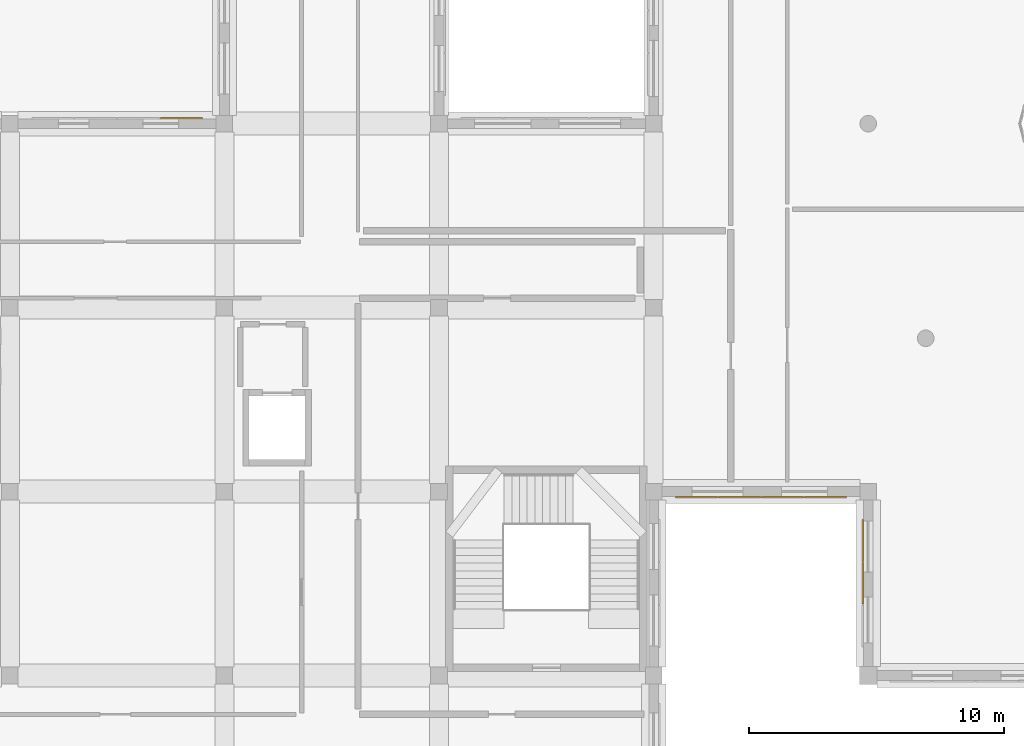
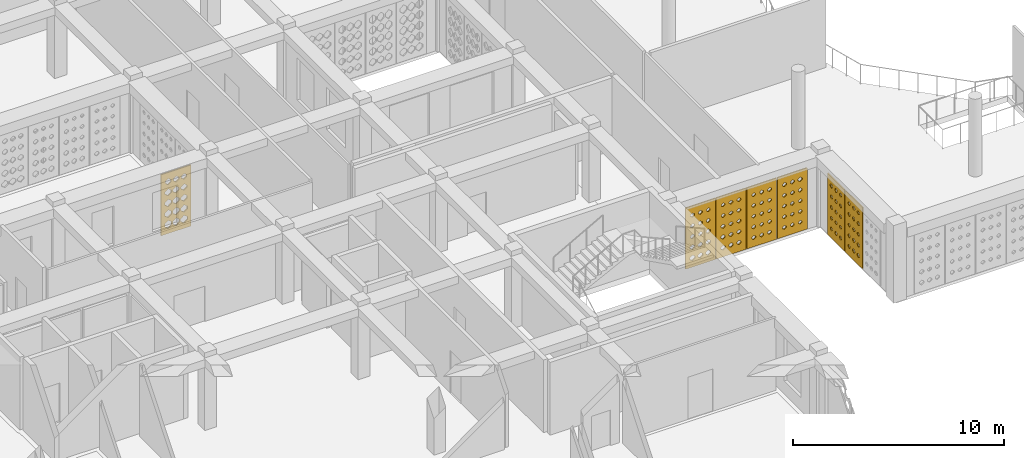
# One storey, part 31 of 47: 7 coverings.
"""IFC4 building model written with IfcOpenShell, lengths in metres."""

from ifc_helpers import new_model, si_unit, derived_unit, direction, frame, origin, place, context, subcontext, project, spatial, polyline, outline, extrude, material, layer, layer_set, type_object, element, save


model = new_model("IFC4")

# Units and contexts
model_context = context("Model", 3, precision=1e-05, world=origin(), true_north=direction((0.0, 1.0)))
body_context = subcontext(model_context, "Body", "Model", "MODEL_VIEW")
ifc_project = project(units=[si_unit("LENGTHUNIT", "METRE"), si_unit("AREAUNIT", "SQUARE_METRE"), si_unit("VOLUMEUNIT", "CUBIC_METRE"), si_unit("PLANEANGLEUNIT", "RADIAN"), si_unit("MASSUNIT", "GRAM", prefix="KILO"), derived_unit("THERMALTRANSMITTANCEUNIT", [(si_unit("POWERUNIT", "WATT"), 1), (si_unit("LENGTHUNIT", "METRE"), -2), (si_unit("THERMODYNAMICTEMPERATUREUNIT", "KELVIN"), -1)])], contexts=[model_context])

# Site, building, storey
site_placement = place(None, origin())
site = spatial("IfcSite", under=ifc_project, at=site_placement, CompositionType="ELEMENT")
building_placement = place(site_placement, origin())
building = spatial("IfcBuilding", under=site, at=building_placement, Name="Veybourne Emporium", CompositionType="ELEMENT")
storey_placement = place(building_placement, frame((0.0, 0.0, 23.39990234375)))
storey = spatial("IfcBuildingStorey", under=building, at=storey_placement, Name="L05", CompositionType="ELEMENT", Elevation=23.39990234375)

# Coverings
ifc_material = material(Name="Warm-White Perforated Aluminium Screen Alloy", Category="aluminium")
ifc_layer_1 = layer(ifc_material, 0.06005859375)
ifc_layer_set_1 = layer_set([ifc_layer_1], Name="Warm-White Perforated Aluminium Screen Alloy")
covering_type_1 = type_object("IfcCoveringType", Name="WaveScreen_SCR-01", PredefinedType="CLADDING", material=ifc_layer_set_1)
covering_1_placement = place(storey_placement, frame((31.919921875, 50.64794921875, 1.830078125), z_axis=(0.0, -1.0, 0.0), x_axis=(1.0, 0.0, 0.0)))
element("IfcCovering", 1, at=covering_1_placement, inside=storey, type_object=covering_type_1, Name="L05 wave-perforated aluminium screen SCR-01 (15.4)", PredefinedType="CLADDING", context=body_context, shape_type="SweptSolid", body=[
    extrude(outline(polyline([(-0.81982421875, -1.77001953125), (0.81982421875, -1.77001953125), (0.81982421875, 1.77001953125), (-0.81982421875, 1.77001953125), (-0.81982421875, -1.77001953125)]), holes=[polyline([(-0.433349609375, -1.00830078125), (-0.2470703125, -1.156494140625), (-0.2470703125, -1.323486328125), (-0.433349609375, -1.4716796875), (-0.61962890625, -1.323486328125), (-0.61962890625, -1.156494140625), (-0.433349609375, -1.00830078125)]), polyline([(-0.433349609375, -0.4013671875), (-0.2470703125, -0.541259765625), (-0.2470703125, -0.69873046875), (-0.433349609375, -0.838623046875), (-0.61962890625, -0.69873046875), (-0.61962890625, -0.541259765625), (-0.433349609375, -0.4013671875)]), polyline([(-0.433349609375, 0.20458984375), (-0.255859375, 0.07373046875), (-0.255859375, -0.07373046875), (-0.433349609375, -0.20458984375), (-0.61083984375, -0.07373046875), (-0.61083984375, 0.07373046875), (-0.433349609375, 0.20458984375)]), polyline([(-0.433349609375, 0.810302734375), (-0.267578125, 0.6884765625), (-0.267578125, 0.551513671875), (-0.433349609375, 0.4296875), (-0.59912109375, 0.551513671875), (-0.59912109375, 0.6884765625), (-0.433349609375, 0.810302734375)]), polyline([(-0.433349609375, 1.416259765625), (-0.279296875, 1.303466796875), (-0.279296875, 1.176513671875), (-0.433349609375, 1.063720703125), (-0.58740234375, 1.176513671875), (-0.58740234375, 1.303466796875), (-0.433349609375, 1.416259765625)]), polyline([(0.0, -1.01416015625), (0.186279296875, -1.15869140625), (0.186279296875, -1.3212890625), (0.0, -1.4658203125), (-0.186279296875, -1.3212890625), (-0.186279296875, -1.15869140625), (0.0, -1.01416015625)]), polyline([(0.0, -0.40771484375), (0.183837890625, -0.54345703125), (0.183837890625, -0.696533203125), (0.0, -0.83251953125), (-0.183837890625, -0.696533203125), (-0.183837890625, -0.54345703125), (0.0, -0.40771484375)]), polyline([(0.0, 0.1982421875), (0.172119140625, 0.0712890625), (0.172119140625, -0.0712890625), (0.0, -0.1982421875), (-0.172119140625, -0.0712890625), (-0.172119140625, 0.0712890625), (0.0, 0.1982421875)]), polyline([(0.0, 0.803955078125), (0.160400390625, 0.686279296875), (0.160400390625, 0.5537109375), (0.0, 0.43603515625), (-0.160400390625, 0.5537109375), (-0.160400390625, 0.686279296875), (0.0, 0.803955078125)]), polyline([(0.0, 1.409912109375), (0.14892578125, 1.30126953125), (0.14892578125, 1.1787109375), (0.0, 1.070068359375), (-0.14892578125, 1.1787109375), (-0.14892578125, 1.30126953125), (0.0, 1.409912109375)]), polyline([(0.433349609375, -1.02001953125), (0.61962890625, -1.160888671875), (0.61962890625, -1.319091796875), (0.433349609375, -1.4599609375), (0.2470703125, -1.319091796875), (0.2470703125, -1.160888671875), (0.433349609375, -1.02001953125)]), polyline([(0.433349609375, -0.413818359375), (0.612060546875, -0.5458984375), (0.612060546875, -0.694091796875), (0.433349609375, -0.826171875), (0.254638671875, -0.694091796875), (0.254638671875, -0.5458984375), (0.433349609375, -0.413818359375)]), polyline([(0.433349609375, 0.19189453125), (0.600341796875, 0.069091796875), (0.600341796875, -0.069091796875), (0.433349609375, -0.19189453125), (0.266357421875, -0.069091796875), (0.266357421875, 0.069091796875), (0.433349609375, 0.19189453125)]), polyline([(0.433349609375, 0.797607421875), (0.588623046875, 0.683837890625), (0.588623046875, 0.55615234375), (0.433349609375, 0.4423828125), (0.278076171875, 0.55615234375), (0.278076171875, 0.683837890625), (0.433349609375, 0.797607421875)]), polyline([(0.433349609375, 1.40380859375), (0.577392578125, 1.299072265625), (0.577392578125, 1.180908203125), (0.433349609375, 1.076171875), (0.289306640625, 1.180908203125), (0.289306640625, 1.299072265625), (0.433349609375, 1.40380859375)])]), origin(), (0.0, 0.0, 1.0), 0.06005859375),
])
covering_2_placement = place(storey_placement, frame((52.080078125, 35.751953125, 1.830078125), z_axis=(0.0, 1.0, 0.0), x_axis=(-1.0, 0.0, 0.0)))
element("IfcCovering", 2, at=covering_2_placement, inside=storey, type_object=covering_type_1, Name="L05 wave-perforated aluminium screen SCR-01 (35.4)", PredefinedType="CLADDING", context=body_context, shape_type="SweptSolid", body=[
    extrude(outline(polyline([(-0.81982421875, -1.77001953125), (0.81982421875, -1.77001953125), (0.81982421875, 1.77001953125), (-0.81982421875, 1.77001953125), (-0.81982421875, -1.77001953125)]), holes=[polyline([(-0.433349609375, -1.095458984375), (-0.304931640625, -1.18798828125), (-0.304931640625, -1.2919921875), (-0.433349609375, -1.384521484375), (-0.561767578125, -1.2919921875), (-0.561767578125, -1.18798828125), (-0.433349609375, -1.095458984375)]), polyline([(-0.433349609375, -0.486328125), (-0.31396484375, -0.572021484375), (-0.31396484375, -0.668212890625), (-0.433349609375, -0.753662109375), (-0.552734375, -0.668212890625), (-0.552734375, -0.572021484375), (-0.433349609375, -0.486328125)]), polyline([(-0.433349609375, 0.12451171875), (-0.3212890625, 0.044921875), (-0.3212890625, -0.044921875), (-0.433349609375, -0.12451171875), (-0.54541015625, -0.044921875), (-0.54541015625, 0.044921875), (-0.433349609375, 0.12451171875)]), polyline([(-0.433349609375, 0.737548828125), (-0.3271484375, 0.662353515625), (-0.3271484375, 0.57763671875), (-0.433349609375, 0.50244140625), (-0.53955078125, 0.57763671875), (-0.53955078125, 0.662353515625), (-0.433349609375, 0.737548828125)]), polyline([(-0.433349609375, 1.352783203125), (-0.3310546875, 1.280517578125), (-0.3310546875, 1.199462890625), (-0.433349609375, 1.127197265625), (-0.53564453125, 1.199462890625), (-0.53564453125, 1.280517578125), (-0.433349609375, 1.352783203125)]), polyline([(0.0, -1.090087890625), (0.1328125, -1.18603515625), (0.1328125, -1.2939453125), (0.0, -1.389892578125), (-0.1328125, -1.2939453125), (-0.1328125, -1.18603515625), (0.0, -1.090087890625)]), polyline([(0.0, -0.481689453125), (0.123291015625, -0.5703125), (0.123291015625, -0.669921875), (0.0, -0.75830078125), (-0.123291015625, -0.669921875), (-0.123291015625, -0.5703125), (0.0, -0.481689453125)]), polyline([(0.0, 0.12841796875), (0.114990234375, 0.04638671875), (0.114990234375, -0.04638671875), (0.0, -0.12841796875), (-0.114990234375, -0.04638671875), (-0.114990234375, 0.04638671875), (0.0, 0.12841796875)]), polyline([(0.0, 0.740478515625), (0.1083984375, 0.663330078125), (0.1083984375, 0.57666015625), (0.0, 0.49951171875), (-0.1083984375, 0.57666015625), (-0.1083984375, 0.663330078125), (0.0, 0.740478515625)]), polyline([(0.0, 1.3544921875), (0.103759765625, 1.28125), (0.103759765625, 1.19873046875), (0.0, 1.12548828125), (-0.103759765625, 1.19873046875), (-0.103759765625, 1.28125), (0.0, 1.3544921875)]), polyline([(0.433349609375, -1.08447265625), (0.57080078125, -1.18408203125), (0.57080078125, -1.2958984375), (0.433349609375, -1.3955078125), (0.2958984375, -1.2958984375), (0.2958984375, -1.18408203125), (0.433349609375, -1.08447265625)]), polyline([(0.433349609375, -0.4765625), (0.560791015625, -0.568359375), (0.560791015625, -0.671630859375), (0.433349609375, -0.763427734375), (0.305908203125, -0.671630859375), (0.305908203125, -0.568359375), (0.433349609375, -0.4765625)]), polyline([(0.433349609375, 0.1328125), (0.552001953125, 0.0478515625), (0.552001953125, -0.0478515625), (0.433349609375, -0.1328125), (0.314697265625, -0.0478515625), (0.314697265625, 0.0478515625), (0.433349609375, 0.1328125)]), polyline([(0.433349609375, 0.743896484375), (0.544677734375, 0.66455078125), (0.544677734375, 0.575439453125), (0.433349609375, 0.49609375), (0.322021484375, 0.575439453125), (0.322021484375, 0.66455078125), (0.433349609375, 0.743896484375)]), polyline([(0.433349609375, 1.35693359375), (0.5390625, 1.281982421875), (0.5390625, 1.197998046875), (0.433349609375, 1.123046875), (0.32763671875, 1.197998046875), (0.32763671875, 1.281982421875), (0.433349609375, 1.35693359375)])]), origin(), (0.0, 0.0, 1.0), 0.06005859375),
])
ifc_layer_2 = layer(ifc_material, 0.06005859375)
ifc_layer_set_2 = layer_set([ifc_layer_2], Name="Warm-White Perforated Aluminium Screen Alloy")
covering_type_2 = type_object("IfcCoveringType", Name="WaveScreen_SCR-02", PredefinedType="CLADDING", material=ifc_layer_set_2)
covering_3_placement = place(storey_placement, frame((57.1201171875, 35.751953125, 1.830078125), z_axis=(0.0, 1.0, 0.0), x_axis=(-1.0, 0.0, 0.0)))
element("IfcCovering", 3, at=covering_3_placement, inside=storey, type_object=covering_type_2, Name="L05 wave-perforated aluminium screen SCR-02 (35.1)", PredefinedType="CLADDING", context=body_context, shape_type="SweptSolid", body=[
    extrude(outline(polyline([(-0.81982421875, -1.77001953125), (0.81982421875, -1.77001953125), (0.81982421875, 1.77001953125), (-0.81982421875, 1.77001953125), (-0.81982421875, -1.77001953125)]), holes=[polyline([(-0.433349609375, -1.1298828125), (-0.333251953125, -1.200439453125), (-0.333251953125, -1.279541015625), (-0.433349609375, -1.35009765625), (-0.533447265625, -1.279541015625), (-0.533447265625, -1.200439453125), (-0.433349609375, -1.1298828125)]), polyline([(-0.433349609375, -0.50927734375), (-0.332763671875, -0.580078125), (-0.332763671875, -0.659912109375), (-0.433349609375, -0.730712890625), (-0.533935546875, -0.659912109375), (-0.533935546875, -0.580078125), (-0.433349609375, -0.50927734375)]), polyline([(-0.433349609375, 0.11376953125), (-0.330322265625, 0.041015625), (-0.330322265625, -0.041015625), (-0.433349609375, -0.11376953125), (-0.536376953125, -0.041015625), (-0.536376953125, 0.041015625), (-0.433349609375, 0.11376953125)]), polyline([(-0.433349609375, 0.7392578125), (-0.32568359375, 0.662841796875), (-0.32568359375, 0.5771484375), (-0.433349609375, 0.500732421875), (-0.540771484375, 0.5771484375), (-0.540771484375, 0.662841796875), (-0.433349609375, 0.7392578125)]), polyline([(-0.433349609375, 1.36669921875), (-0.319580078125, 1.28564453125), (-0.319580078125, 1.1943359375), (-0.433349609375, 1.11328125), (-0.547119140625, 1.1943359375), (-0.547119140625, 1.28564453125), (-0.433349609375, 1.36669921875)]), polyline([(0.0, -1.12939453125), (0.1005859375, -1.2001953125), (0.1005859375, -1.27978515625), (0.0, -1.3505859375), (-0.1005859375, -1.27978515625), (-0.1005859375, -1.2001953125), (0.0, -1.12939453125)]), polyline([(0.0, -0.510009765625), (0.10009765625, -0.580322265625), (0.10009765625, -0.65966796875), (0.0, -0.72998046875), (-0.10009765625, -0.65966796875), (-0.10009765625, -0.580322265625), (0.0, -0.510009765625)]), polyline([(0.0, 0.112060546875), (0.101806640625, 0.040283203125), (0.101806640625, -0.040283203125), (0.0, -0.112060546875), (-0.101806640625, -0.040283203125), (-0.101806640625, 0.040283203125), (0.0, 0.112060546875)]), polyline([(0.0, 0.736572265625), (0.105224609375, 0.661865234375), (0.105224609375, 0.578125), (0.0, 0.50341796875), (-0.105224609375, 0.578125), (-0.105224609375, 0.661865234375), (0.0, 0.736572265625)]), polyline([(0.0, 1.363037109375), (0.110595703125, 1.2841796875), (0.110595703125, 1.19580078125), (0.0, 1.116943359375), (-0.110595703125, 1.19580078125), (-0.110595703125, 1.2841796875), (0.0, 1.363037109375)]), polyline([(0.433349609375, -1.12841796875), (0.53466796875, -1.19970703125), (0.53466796875, -1.2802734375), (0.433349609375, -1.351806640625), (0.33203125, -1.2802734375), (0.33203125, -1.19970703125), (0.433349609375, -1.12841796875)]), polyline([(0.433349609375, -0.510009765625), (0.533447265625, -0.580322265625), (0.533447265625, -0.65966796875), (0.433349609375, -0.72998046875), (0.333251953125, -0.65966796875), (0.333251953125, -0.580322265625), (0.433349609375, -0.510009765625)]), polyline([(0.433349609375, 0.11083984375), (0.5341796875, 0.039794921875), (0.5341796875, -0.039794921875), (0.433349609375, -0.11083984375), (0.33251953125, -0.039794921875), (0.33251953125, 0.039794921875), (0.433349609375, 0.11083984375)]), polyline([(0.433349609375, 0.734130859375), (0.536865234375, 0.6611328125), (0.536865234375, 0.578857421875), (0.433349609375, 0.505859375), (0.329833984375, 0.578857421875), (0.329833984375, 0.6611328125), (0.433349609375, 0.734130859375)]), polyline([(0.433349609375, 1.35986328125), (0.54150390625, 1.283203125), (0.54150390625, 1.19677734375), (0.433349609375, 1.1201171875), (0.3251953125, 1.19677734375), (0.3251953125, 1.283203125), (0.433349609375, 1.35986328125)])]), origin(), (0.0, 0.0, 1.0), 0.06005859375),
])
ifc_layer_3 = layer(ifc_material, 0.06005859375)
ifc_layer_set_3 = layer_set([ifc_layer_3], Name="Warm-White Perforated Aluminium Screen Alloy")
covering_type_3 = type_object("IfcCoveringType", Name="WaveScreen_SCR-03", PredefinedType="CLADDING", material=ifc_layer_set_3)
covering_4_placement = place(storey_placement, frame((55.43994140625, 35.751953125, 1.830078125), z_axis=(0.0, 1.0, 0.0), x_axis=(-1.0, 0.0, 0.0)))
element("IfcCovering", 4, at=covering_4_placement, inside=storey, type_object=covering_type_3, Name="L05 wave-perforated aluminium screen SCR-03 (35.2)", PredefinedType="CLADDING", context=body_context, shape_type="SweptSolid", body=[
    extrude(outline(polyline([(-0.81982421875, -1.77001953125), (0.81982421875, -1.77001953125), (0.81982421875, 1.77001953125), (-0.81982421875, 1.77001953125), (-0.81982421875, -1.77001953125)]), holes=[polyline([(-0.433349609375, -1.125), (-0.329345703125, -1.198486328125), (-0.329345703125, -1.281494140625), (-0.433349609375, -1.35498046875), (-0.537353515625, -1.281494140625), (-0.537353515625, -1.198486328125), (-0.433349609375, -1.125)]), polyline([(-0.433349609375, -0.5087890625), (-0.332275390625, -0.580078125), (-0.332275390625, -0.659912109375), (-0.433349609375, -0.731201171875), (-0.5341796875, -0.659912109375), (-0.5341796875, -0.580078125), (-0.433349609375, -0.5087890625)]), polyline([(-0.433349609375, 0.110107421875), (-0.333251953125, 0.03955078125), (-0.333251953125, -0.03955078125), (-0.433349609375, -0.110107421875), (-0.533203125, -0.03955078125), (-0.533203125, 0.03955078125), (-0.433349609375, 0.110107421875)]), polyline([(-0.433349609375, 0.731201171875), (-0.332275390625, 0.659912109375), (-0.332275390625, 0.580078125), (-0.433349609375, 0.5087890625), (-0.534423828125, 0.580078125), (-0.534423828125, 0.659912109375), (-0.433349609375, 0.731201171875)]), polyline([(-0.433349609375, 1.35498046875), (-0.329345703125, 1.281494140625), (-0.329345703125, 1.198486328125), (-0.433349609375, 1.125), (-0.537353515625, 1.198486328125), (-0.537353515625, 1.281494140625), (-0.433349609375, 1.35498046875)]), polyline([(0.0, -1.122802734375), (0.10595703125, -1.19775390625), (0.10595703125, -1.2822265625), (0.0, -1.357421875), (-0.10595703125, -1.2822265625), (-0.10595703125, -1.19775390625), (0.0, -1.122802734375)]), polyline([(0.0, -0.50732421875), (0.10205078125, -0.57958984375), (0.10205078125, -0.660400390625), (0.0, -0.732666015625), (-0.10205078125, -0.660400390625), (-0.10205078125, -0.57958984375), (0.0, -0.50732421875)]), polyline([(0.0, 0.110107421875), (0.10009765625, 0.039794921875), (0.10009765625, -0.039794921875), (0.0, -0.110107421875), (-0.10009765625, -0.039794921875), (-0.10009765625, 0.039794921875), (0.0, 0.110107421875)]), polyline([(0.0, 0.73046875), (0.100341796875, 0.65966796875), (0.100341796875, 0.580322265625), (0.0, 0.509521484375), (-0.100341796875, 0.580322265625), (-0.100341796875, 0.65966796875), (0.0, 0.73046875)]), polyline([(0.0, 1.35302734375), (0.102294921875, 1.28076171875), (0.102294921875, 1.19921875), (0.0, 1.126953125), (-0.102294921875, 1.19921875), (-0.102294921875, 1.28076171875), (0.0, 1.35302734375)]), polyline([(0.433349609375, -1.119873046875), (0.541748046875, -1.19677734375), (0.541748046875, -1.283203125), (0.433349609375, -1.360107421875), (0.324951171875, -1.283203125), (0.324951171875, -1.19677734375), (0.433349609375, -1.119873046875)]), polyline([(0.433349609375, -0.505615234375), (0.537109375, -0.578857421875), (0.537109375, -0.6611328125), (0.433349609375, -0.734375), (0.32958984375, -0.6611328125), (0.32958984375, -0.578857421875), (0.433349609375, -0.505615234375)]), polyline([(0.433349609375, 0.111083984375), (0.5341796875, 0.0400390625), (0.5341796875, -0.0400390625), (0.433349609375, -0.111083984375), (0.33251953125, -0.0400390625), (0.33251953125, 0.0400390625), (0.433349609375, 0.111083984375)]), polyline([(0.433349609375, 0.72998046875), (0.533203125, 0.65966796875), (0.533203125, 0.580322265625), (0.433349609375, 0.510009765625), (0.333251953125, 0.580322265625), (0.333251953125, 0.65966796875), (0.433349609375, 0.72998046875)]), polyline([(0.433349609375, 1.3515625), (0.53466796875, 1.280029296875), (0.53466796875, 1.199951171875), (0.433349609375, 1.12841796875), (0.33203125, 1.199951171875), (0.33203125, 1.280029296875), (0.433349609375, 1.3515625)])]), origin(), (0.0, 0.0, 1.0), 0.06005859375),
])
covering_5_placement = place(storey_placement, frame((58.552001953125, 32.41259765625, 1.830078125), z_axis=(1.0, 0.0, 0.0), x_axis=(0.0, 1.0, 0.0)))
element("IfcCovering", 5, at=covering_5_placement, inside=storey, type_object=covering_type_3, Name="L05 wave-perforated aluminium screen SCR-03 (39.2)", PredefinedType="CLADDING", context=body_context, shape_type="SweptSolid", body=[
    extrude(outline(polyline([(-0.81982421875, -1.77001953125), (0.81982421875, -1.77001953125), (0.81982421875, 1.77001953125), (-0.81982421875, 1.77001953125), (-0.81982421875, -1.77001953125)]), holes=[polyline([(-0.433349609375, -1.1181640625), (-0.323486328125, -1.196044921875), (-0.323486328125, -1.283935546875), (-0.433349609375, -1.36181640625), (-0.543212890625, -1.283935546875), (-0.543212890625, -1.196044921875), (-0.433349609375, -1.1181640625)]), polyline([(-0.433349609375, -0.50439453125), (-0.328857421875, -0.578369140625), (-0.328857421875, -0.66162109375), (-0.433349609375, -0.735595703125), (-0.537841796875, -0.66162109375), (-0.537841796875, -0.578369140625), (-0.433349609375, -0.50439453125)]), polyline([(-0.433349609375, 0.111572265625), (-0.33203125, 0.040283203125), (-0.33203125, -0.040283203125), (-0.433349609375, -0.111572265625), (-0.53466796875, -0.040283203125), (-0.53466796875, 0.040283203125), (-0.433349609375, 0.111572265625)]), polyline([(-0.433349609375, 0.72998046875), (-0.333251953125, 0.65966796875), (-0.333251953125, 0.580322265625), (-0.433349609375, 0.510009765625), (-0.533447265625, 0.580322265625), (-0.533447265625, 0.65966796875), (-0.433349609375, 0.72998046875)]), polyline([(-0.433349609375, 1.350830078125), (-0.33251953125, 1.27978515625), (-0.33251953125, 1.2001953125), (-0.433349609375, 1.129150390625), (-0.5341796875, 1.2001953125), (-0.5341796875, 1.27978515625), (-0.433349609375, 1.350830078125)]), polyline([(0.0, -1.12109375), (0.107177734375, -1.197265625), (0.107177734375, -1.28271484375), (0.0, -1.35888671875), (-0.107177734375, -1.28271484375), (-0.107177734375, -1.197265625), (0.0, -1.12109375)]), polyline([(0.0, -0.506591796875), (0.102783203125, -0.5791015625), (0.102783203125, -0.660888671875), (0.0, -0.7333984375), (-0.102783203125, -0.660888671875), (-0.102783203125, -0.5791015625), (0.0, -0.506591796875)]), polyline([(0.0, 0.110595703125), (0.1005859375, 0.039794921875), (0.1005859375, -0.039794921875), (0.0, -0.110595703125), (-0.1005859375, -0.039794921875), (-0.1005859375, 0.039794921875), (0.0, 0.110595703125)]), polyline([(0.0, 0.72998046875), (0.10009765625, 0.65966796875), (0.10009765625, 0.580322265625), (0.0, 0.510009765625), (-0.10009765625, 0.580322265625), (-0.10009765625, 0.65966796875), (0.0, 0.72998046875)]), polyline([(0.0, 1.35205078125), (0.101806640625, 1.280517578125), (0.101806640625, 1.19970703125), (0.0, 1.1279296875), (-0.101806640625, 1.19970703125), (-0.101806640625, 1.280517578125), (0.0, 1.35205078125)]), polyline([(0.433349609375, -1.123779296875), (0.538330078125, -1.1982421875), (0.538330078125, -1.28173828125), (0.433349609375, -1.356201171875), (0.328369140625, -1.28173828125), (0.328369140625, -1.1982421875), (0.433349609375, -1.123779296875)]), polyline([(0.433349609375, -0.508056640625), (0.534912109375, -0.57958984375), (0.534912109375, -0.660400390625), (0.433349609375, -0.73193359375), (0.331787109375, -0.660400390625), (0.331787109375, -0.57958984375), (0.433349609375, -0.508056640625)]), polyline([(0.433349609375, 0.110107421875), (0.533447265625, 0.03955078125), (0.533447265625, -0.03955078125), (0.433349609375, -0.110107421875), (0.333251953125, -0.03955078125), (0.333251953125, 0.03955078125), (0.433349609375, 0.110107421875)]), polyline([(0.433349609375, 0.730712890625), (0.533935546875, 0.659912109375), (0.533935546875, 0.580078125), (0.433349609375, 0.50927734375), (0.332763671875, 0.580078125), (0.332763671875, 0.659912109375), (0.433349609375, 0.730712890625)]), polyline([(0.433349609375, 1.353759765625), (0.53662109375, 1.281005859375), (0.53662109375, 1.198974609375), (0.433349609375, 1.126220703125), (0.330078125, 1.198974609375), (0.330078125, 1.281005859375), (0.433349609375, 1.353759765625)])]), origin(), (0.0, 0.0, 1.0), 0.06005859375),
])
ifc_layer_4 = layer(ifc_material, 0.06005859375)
ifc_layer_set_4 = layer_set([ifc_layer_4], Name="Warm-White Perforated Aluminium Screen Alloy")
covering_type_4 = type_object("IfcCoveringType", Name="WaveScreen_SCR-04", PredefinedType="CLADDING", material=ifc_layer_set_4)
covering_6_placement = place(storey_placement, frame((53.760009765625, 35.751953125, 1.830078125), z_axis=(0.0, 1.0, 0.0), x_axis=(-1.0, 0.0, 0.0)))
element("IfcCovering", 6, at=covering_6_placement, inside=storey, type_object=covering_type_4, Name="L05 wave-perforated aluminium screen SCR-04 (35.3)", PredefinedType="CLADDING", context=body_context, shape_type="SweptSolid", body=[
    extrude(outline(polyline([(-0.81982421875, -1.77001953125), (0.81982421875, -1.77001953125), (0.81982421875, 1.77001953125), (-0.81982421875, 1.77001953125), (-0.81982421875, -1.77001953125)]), holes=[polyline([(-0.433349609375, -1.11328125), (-0.319580078125, -1.1943359375), (-0.319580078125, -1.28564453125), (-0.433349609375, -1.36669921875), (-0.547119140625, -1.28564453125), (-0.547119140625, -1.1943359375), (-0.433349609375, -1.11328125)]), polyline([(-0.433349609375, -0.500732421875), (-0.32568359375, -0.5771484375), (-0.32568359375, -0.662841796875), (-0.433349609375, -0.7392578125), (-0.540771484375, -0.662841796875), (-0.540771484375, -0.5771484375), (-0.433349609375, -0.500732421875)]), polyline([(-0.433349609375, 0.11376953125), (-0.330322265625, 0.041015625), (-0.330322265625, -0.041015625), (-0.433349609375, -0.11376953125), (-0.536376953125, -0.041015625), (-0.536376953125, 0.041015625), (-0.433349609375, 0.11376953125)]), polyline([(-0.433349609375, 0.730712890625), (-0.332763671875, 0.659912109375), (-0.332763671875, 0.580078125), (-0.433349609375, 0.50927734375), (-0.533935546875, 0.580078125), (-0.533935546875, 0.659912109375), (-0.433349609375, 0.730712890625)]), polyline([(-0.433349609375, 1.35009765625), (-0.333251953125, 1.279541015625), (-0.333251953125, 1.200439453125), (-0.433349609375, 1.1298828125), (-0.533447265625, 1.200439453125), (-0.533447265625, 1.279541015625), (-0.433349609375, 1.35009765625)]), polyline([(0.0, -1.109130859375), (0.1171875, -1.19287109375), (0.1171875, -1.287109375), (0.0, -1.370849609375), (-0.1171875, -1.287109375), (-0.1171875, -1.19287109375), (0.0, -1.109130859375)]), polyline([(0.0, -0.497802734375), (0.110107421875, -0.575927734375), (0.110107421875, -0.6640625), (0.0, -0.7421875), (-0.110107421875, -0.6640625), (-0.110107421875, -0.575927734375), (0.0, -0.497802734375)]), polyline([(0.0, 0.115966796875), (0.104736328125, 0.041748046875), (0.104736328125, -0.041748046875), (0.0, -0.115966796875), (-0.104736328125, -0.041748046875), (-0.104736328125, 0.041748046875), (0.0, 0.115966796875)]), polyline([(0.0, 0.731689453125), (0.101318359375, 0.66015625), (0.101318359375, 0.579833984375), (0.0, 0.50830078125), (-0.101318359375, 0.579833984375), (-0.101318359375, 0.66015625), (0.0, 0.731689453125)]), polyline([(0.0, 1.35009765625), (0.10009765625, 1.279541015625), (0.10009765625, 1.200439453125), (0.0, 1.1298828125), (-0.10009765625, 1.200439453125), (-0.10009765625, 1.279541015625), (0.0, 1.35009765625)]), polyline([(0.433349609375, -1.104736328125), (0.55419921875, -1.19140625), (0.55419921875, -1.288818359375), (0.433349609375, -1.375244140625), (0.3125, -1.288818359375), (0.3125, -1.19140625), (0.433349609375, -1.104736328125)]), polyline([(0.433349609375, -0.494140625), (0.54638671875, -0.57470703125), (0.54638671875, -0.665283203125), (0.433349609375, -0.745849609375), (0.3203125, -0.665283203125), (0.3203125, -0.57470703125), (0.433349609375, -0.494140625)]), polyline([(0.433349609375, 0.118408203125), (0.540283203125, 0.042724609375), (0.540283203125, -0.042724609375), (0.433349609375, -0.118408203125), (0.326416015625, -0.042724609375), (0.326416015625, 0.042724609375), (0.433349609375, 0.118408203125)]), polyline([(0.433349609375, 0.7333984375), (0.535888671875, 0.660888671875), (0.535888671875, 0.5791015625), (0.433349609375, 0.506591796875), (0.33056640625, 0.5791015625), (0.33056640625, 0.660888671875), (0.433349609375, 0.7333984375)]), polyline([(0.433349609375, 1.3505859375), (0.53369140625, 1.27978515625), (0.53369140625, 1.2001953125), (0.433349609375, 1.12939453125), (0.3330078125, 1.2001953125), (0.3330078125, 1.27978515625), (0.433349609375, 1.3505859375)])]), origin(), (0.0, 0.0, 1.0), 0.06005859375),
])
covering_7_placement = place(storey_placement, frame((58.552001953125, 34.092529296875, 1.830078125), z_axis=(1.0, 0.0, 0.0), x_axis=(0.0, 1.0, 0.0)))
element("IfcCovering", 7, at=covering_7_placement, inside=storey, type_object=covering_type_4, Name="L05 wave-perforated aluminium screen SCR-04 (39.3)", PredefinedType="CLADDING", context=body_context, shape_type="SweptSolid", body=[
    extrude(outline(polyline([(-0.81982421875, -1.77001953125), (0.81982421875, -1.77001953125), (0.81982421875, 1.77001953125), (-0.81982421875, 1.77001953125), (-0.81982421875, -1.77001953125)]), holes=[polyline([(-0.433349609375, -1.127685546875), (-0.331298828125, -1.199462890625), (-0.331298828125, -1.280517578125), (-0.433349609375, -1.352294921875), (-0.535400390625, -1.280517578125), (-0.535400390625, -1.199462890625), (-0.433349609375, -1.127685546875)]), polyline([(-0.433349609375, -0.509765625), (-0.333251953125, -0.580322265625), (-0.333251953125, -0.65966796875), (-0.433349609375, -0.730224609375), (-0.533447265625, -0.65966796875), (-0.533447265625, -0.580322265625), (-0.433349609375, -0.509765625)]), polyline([(-0.433349609375, 0.110595703125), (-0.3330078125, 0.039794921875), (-0.3330078125, -0.039794921875), (-0.433349609375, -0.110595703125), (-0.53369140625, -0.039794921875), (-0.53369140625, 0.039794921875), (-0.433349609375, 0.110595703125)]), polyline([(-0.433349609375, 0.733154296875), (-0.330810546875, 0.660888671875), (-0.330810546875, 0.5791015625), (-0.433349609375, 0.5068359375), (-0.535888671875, 0.5791015625), (-0.535888671875, 0.660888671875), (-0.433349609375, 0.733154296875)]), polyline([(-0.433349609375, 1.3583984375), (-0.326416015625, 1.28271484375), (-0.326416015625, 1.197509765625), (-0.433349609375, 1.12158203125), (-0.5400390625, 1.197509765625), (-0.5400390625, 1.28271484375), (-0.433349609375, 1.3583984375)]), polyline([(0.0, -1.12890625), (0.100830078125, -1.199951171875), (0.100830078125, -1.280029296875), (0.0, -1.35107421875), (-0.100830078125, -1.280029296875), (-0.100830078125, -1.199951171875), (0.0, -1.12890625)]), polyline([(0.0, -0.510009765625), (0.10009765625, -0.580322265625), (0.10009765625, -0.65966796875), (0.0, -0.72998046875), (-0.10009765625, -0.65966796875), (-0.10009765625, -0.580322265625), (0.0, -0.510009765625)]), polyline([(0.0, 0.111328125), (0.10107421875, 0.0400390625), (0.10107421875, -0.0400390625), (0.0, -0.111328125), (-0.10107421875, -0.0400390625), (-0.10107421875, 0.0400390625), (0.0, 0.111328125)]), polyline([(0.0, 0.735107421875), (0.104248046875, 0.66162109375), (0.104248046875, 0.57861328125), (0.0, 0.5048828125), (-0.104248046875, 0.57861328125), (-0.104248046875, 0.66162109375), (0.0, 0.735107421875)]), polyline([(0.0, 1.361328125), (0.109375, 1.28369140625), (0.109375, 1.1962890625), (0.0, 1.11865234375), (-0.109375, 1.1962890625), (-0.109375, 1.28369140625), (0.0, 1.361328125)]), polyline([(0.433349609375, -1.129638671875), (0.53369140625, -1.2001953125), (0.53369140625, -1.27978515625), (0.433349609375, -1.350341796875), (0.3330078125, -1.27978515625), (0.3330078125, -1.2001953125), (0.433349609375, -1.129638671875)]), polyline([(0.433349609375, -0.509765625), (0.53369140625, -0.580322265625), (0.53369140625, -0.65966796875), (0.433349609375, -0.730224609375), (0.3330078125, -0.65966796875), (0.3330078125, -0.580322265625), (0.433349609375, -0.509765625)]), polyline([(0.433349609375, 0.11279296875), (0.53564453125, 0.04052734375), (0.53564453125, -0.04052734375), (0.433349609375, -0.11279296875), (0.3310546875, -0.04052734375), (0.3310546875, 0.04052734375), (0.433349609375, 0.11279296875)]), polyline([(0.433349609375, 0.73779296875), (0.53955078125, 0.662353515625), (0.53955078125, 0.57763671875), (0.433349609375, 0.502197265625), (0.326904296875, 0.57763671875), (0.326904296875, 0.662353515625), (0.433349609375, 0.73779296875)]), polyline([(0.433349609375, 1.36474609375), (0.54541015625, 1.284912109375), (0.54541015625, 1.195068359375), (0.433349609375, 1.115234375), (0.3212890625, 1.195068359375), (0.3212890625, 1.284912109375), (0.433349609375, 1.36474609375)])]), origin(), (0.0, 0.0, 1.0), 0.06005859375),
])

save(model, "model.ifc")
